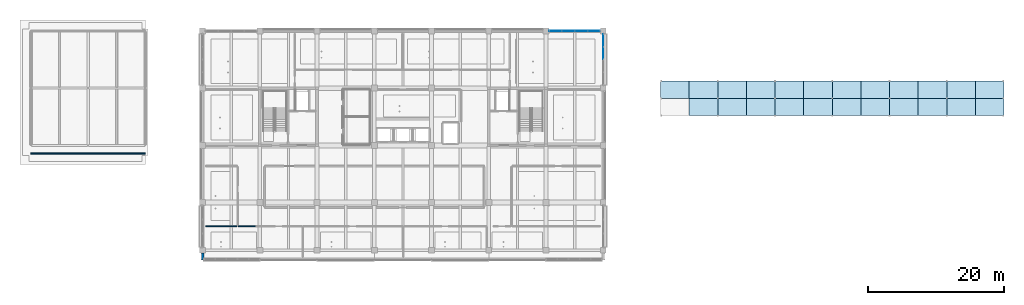
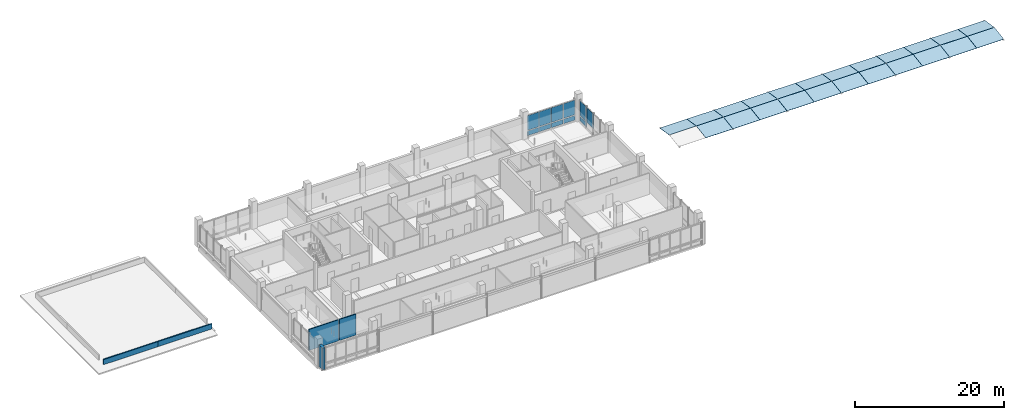
# One storey, part 11 of 39: 34 plates, 5 walls, 2 elements without a shape of their own.
"""IFC4 building model written with IfcOpenShell, lengths in metres."""

from ifc_helpers import new_model, si_unit, direction, frame, frame_2d, origin, origin_2d, place, context, subcontext, project, spatial, polyline, rectangle, outline, extrude, material, layer, layer_set, type_object, element, aggregate, save


model = new_model("IFC4")

# Units and contexts
model_context = context("Model", 3, precision=1e-05, world=origin(), true_north=direction((0.0, 1.0)))
body_context = subcontext(model_context, "Body", "Model", "MODEL_VIEW")
ifc_project = project(units=[si_unit("LENGTHUNIT", "METRE"), si_unit("AREAUNIT", "SQUARE_METRE"), si_unit("VOLUMEUNIT", "CUBIC_METRE"), si_unit("PLANEANGLEUNIT", "RADIAN"), si_unit("MASSUNIT", "GRAM", prefix="KILO")], contexts=[model_context])

# Site, building, storey
site_placement = place(None, origin())
site = spatial("IfcSite", under=ifc_project, at=site_placement, CompositionType="ELEMENT")
building_placement = place(site_placement, origin())
building = spatial("IfcBuilding", under=site, at=building_placement, Name="Telukmera Botanical Conservatory", CompositionType="ELEMENT")
storey_placement = place(building_placement, frame((0.0, 0.0, 19.5)))
storey = spatial("IfcBuildingStorey", under=building, at=storey_placement, Name="L04", CompositionType="ELEMENT", Elevation=19.5)

# Plates
ifc_material_1 = material(Name="Low-iron laminated conservatory glass", Category="glass")
ifc_layer_1 = layer(ifc_material_1, 0.031982421875)
ifc_layer_set_1 = layer_set([ifc_layer_1], Name="Low-iron laminated conservatory glass")
plate_type_1 = type_object("IfcPlateType", Name="Conservatory Gridshell Laminated Skylight Facet 32", PredefinedType="USERDEFINED", material=ifc_layer_set_1)
for number, where, z_axis, x_axis, name in (
    (1, (117.60205078125, 32.902099609375, 0.552001953125), (0.0, 0.154989524517, 0.987916113488), (1.0, 0.0, 0.0), "Conservatory Gridshell Glass Facet 01-07"),
    (2, (121.802001953125, 30.35205078125, 0.152587890625), (0.0, -0.154989524517, 0.987916113488), (1.0, 0.0, 0.0), "Conservatory Gridshell Glass Facet 02-06"),
    (3, (121.802001953125, 32.902099609375, 0.552001953125), (0.0, 0.154989524517, 0.987916113488), (1.0, 0.0, 0.0), "Conservatory Gridshell Glass Facet 02-07"),
    (4, (126.001953125, 30.35205078125, 0.152587890625), (0.0, -0.154989524517, 0.987916113488), (1.0, 0.0, 0.0), "Conservatory Gridshell Glass Facet 03-06"),
    (5, (126.001953125, 32.902099609375, 0.552001953125), (0.0, 0.154989524517, 0.987916113488), (1.0, 0.0, 0.0), "Conservatory Gridshell Glass Facet 03-07"),
    (6, (130.201904296875, 30.35205078125, 0.152587890625), (0.0, -0.154989524517, 0.987916113488), (1.0, 0.0, 0.0), "Conservatory Gridshell Glass Facet 04-06"),
    (7, (130.201904296875, 32.902099609375, 0.552001953125), (0.0, 0.154989524517, 0.987916113488), (1.0, 0.0, 0.0), "Conservatory Gridshell Glass Facet 04-07"),
):
    element("IfcPlate", number, at=place(storey_placement, frame(where, z_axis=z_axis, x_axis=x_axis)), inside=storey, type_object=plate_type_1, Name=name, ObjectType="SKYLIGHT_PANEL", PredefinedType="USERDEFINED", context=body_context, shape_type="SweptSolid", body=[
        extrude(outline(polyline([(0.0, 0.0), (4.196044921875, 0.0), (4.196044921875, 2.577039085343429), (0.0, 2.577039085343429), (0.0, 0.0)])), origin(), (0.0, 0.0, -1.0), 0.031982421875),
    ])
for number, where, z_axis, x_axis, name in (
    (8, (134.402099609375, 30.35205078125, 0.152587890625), (0.0, -0.154989524517, 0.987916113488), (1.0, 0.0, 0.0), "Conservatory Gridshell Glass Facet 05-06"),
    (9, (134.402099609375, 32.902099609375, 0.552001953125), (0.0, 0.154989524517, 0.987916113488), (1.0, 0.0, 0.0), "Conservatory Gridshell Glass Facet 05-07"),
):
    element("IfcPlate", number, at=place(storey_placement, frame(where, z_axis=z_axis, x_axis=x_axis)), inside=storey, type_object=plate_type_1, Name=name, ObjectType="SKYLIGHT_PANEL", PredefinedType="USERDEFINED", context=body_context, shape_type="SweptSolid", body=[
        extrude(outline(polyline([(0.0, 0.0), (4.19580078125, 0.0), (4.19580078125, 2.577039085343429), (0.0, 2.577039085343429), (0.0, 0.0)])), origin(), (0.0, 0.0, -1.0), 0.031982421875),
    ])
for number, where, z_axis, x_axis, name in (
    (10, (138.60205078125, 30.35205078125, 0.152587890625), (0.0, -0.154989524517, 0.987916113488), (1.0, 0.0, 0.0), "Conservatory Gridshell Glass Facet 06-06"),
    (11, (138.60205078125, 32.902099609375, 0.552001953125), (0.0, 0.154989524517, 0.987916113488), (1.0, 0.0, 0.0), "Conservatory Gridshell Glass Facet 06-07"),
    (12, (142.802001953125, 30.35205078125, 0.152587890625), (0.0, -0.154989524517, 0.987916113488), (1.0, 0.0, 0.0), "Conservatory Gridshell Glass Facet 07-06"),
    (13, (142.802001953125, 32.902099609375, 0.552001953125), (0.0, 0.154989524517, 0.987916113488), (1.0, 0.0, 0.0), "Conservatory Gridshell Glass Facet 07-07"),
    (14, (147.001953125, 30.35205078125, 0.152587890625), (0.0, -0.154989524517, 0.987916113488), (1.0, 0.0, 0.0), "Conservatory Gridshell Glass Facet 08-06"),
    (15, (147.001953125, 32.902099609375, 0.552001953125), (0.0, 0.154989524517, 0.987916113488), (1.0, 0.0, 0.0), "Conservatory Gridshell Glass Facet 08-07"),
    (16, (151.201904296875, 30.35205078125, 0.152587890625), (0.0, -0.154989524517, 0.987916113488), (1.0, 0.0, 0.0), "Conservatory Gridshell Glass Facet 09-06"),
    (17, (151.201904296875, 32.902099609375, 0.552001953125), (0.0, 0.154989524517, 0.987916113488), (1.0, 0.0, 0.0), "Conservatory Gridshell Glass Facet 09-07"),
):
    element("IfcPlate", number, at=place(storey_placement, frame(where, z_axis=z_axis, x_axis=x_axis)), inside=storey, type_object=plate_type_1, Name=name, ObjectType="SKYLIGHT_PANEL", PredefinedType="USERDEFINED", context=body_context, shape_type="SweptSolid", body=[
        extrude(outline(polyline([(0.0, 0.0), (4.196044921875, 0.0), (4.196044921875, 2.577039085343429), (0.0, 2.577039085343429), (0.0, 0.0)])), origin(), (0.0, 0.0, -1.0), 0.031982421875),
    ])
for number, where, z_axis, x_axis, name in (
    (18, (155.402099609375, 30.35205078125, 0.152587890625), (0.0, -0.154989524517, 0.987916113488), (1.0, 0.0, 0.0), "Conservatory Gridshell Glass Facet 10-06"),
    (19, (155.402099609375, 32.902099609375, 0.552001953125), (0.0, 0.154989524517, 0.987916113488), (1.0, 0.0, 0.0), "Conservatory Gridshell Glass Facet 10-07"),
):
    element("IfcPlate", number, at=place(storey_placement, frame(where, z_axis=z_axis, x_axis=x_axis)), inside=storey, type_object=plate_type_1, Name=name, ObjectType="SKYLIGHT_PANEL", PredefinedType="USERDEFINED", context=body_context, shape_type="SweptSolid", body=[
        extrude(outline(polyline([(0.0, 0.0), (4.19580078125, 0.0), (4.19580078125, 2.577039085343429), (0.0, 2.577039085343429), (0.0, 0.0)])), origin(), (0.0, 0.0, -1.0), 0.031982421875),
    ])
for number, where, z_axis, x_axis, name in (
    (20, (159.60205078125, 30.35205078125, 0.152587890625), (0.0, -0.154989524517, 0.987916113488), (1.0, 0.0, 0.0), "Conservatory Gridshell Glass Facet 11-06"),
    (21, (159.60205078125, 32.902099609375, 0.552001953125), (0.0, 0.154989524517, 0.987916113488), (1.0, 0.0, 0.0), "Conservatory Gridshell Glass Facet 11-07"),
    (22, (163.802001953125, 30.35205078125, 0.152587890625), (0.0, -0.154989524517, 0.987916113488), (1.0, 0.0, 0.0), "Conservatory Gridshell Glass Facet 12-06"),
    (23, (163.802001953125, 32.902099609375, 0.552001953125), (0.0, 0.154989524517, 0.987916113488), (1.0, 0.0, 0.0), "Conservatory Gridshell Glass Facet 12-07"),
):
    element("IfcPlate", number, at=place(storey_placement, frame(where, z_axis=z_axis, x_axis=x_axis)), inside=storey, type_object=plate_type_1, Name=name, ObjectType="SKYLIGHT_PANEL", PredefinedType="USERDEFINED", context=body_context, shape_type="SweptSolid", body=[
        extrude(outline(polyline([(0.0, 0.0), (4.196044921875, 0.0), (4.196044921875, 2.577039085343429), (0.0, 2.577039085343429), (0.0, 0.0)])), origin(), (0.0, 0.0, -1.0), 0.031982421875),
    ])

# Curtain wall, plates
ifc_material_2 = material(Name="Anodised aluminium 6063-T6", Category="aluminium")
ifc_layer_2 = layer(ifc_material_2, 0.179931640625)
ifc_layer_set_2 = layer_set([ifc_layer_2], Name="Anodised aluminium 6063-T6")
curtain_wall_type = type_object("IfcCurtainWallType", Name="Tower Herbarium Curation Corner Curtain Wall", PredefinedType="USERDEFINED", material=ifc_layer_set_2)
curtain_wall_1_placement = place(storey_placement, origin())
curtain_wall_1 = element("IfcCurtainWall", 24, at=curtain_wall_1_placement, inside=storey, type_object=curtain_wall_type, Name="Unitised Curtain Wall CW14 V4:L04:N7", ObjectType="UNITISED CURTAIN WALL", PredefinedType="USERDEFINED")
ifc_material_3 = material(Name="Spectrally selective low-E double glazing", Category="glass")
ifc_layer_3 = layer(ifc_material_3, 0.0380859375)
ifc_layer_set_3 = layer_set([ifc_layer_3], Name="Spectrally selective low-E double glazing")
plate_type_2 = type_object("IfcPlateType", Name="Solar Control Fritted Spandrel Glazing Panel 38", PredefinedType="CURTAIN_PANEL", material=ifc_layer_set_3)
plate_1_placement = place(storey_placement, frame((102.1865234375, 42.800048828125, 0.130126953125), z_axis=(0.0, 0.0, 1.0), x_axis=(1.0, 0.0, 0.0)))
plate_1 = element("IfcPlate", 25, at=plate_1_placement, type_object=plate_type_2, Name="CW14 panel 1.1", PredefinedType="CURTAIN_PANEL", context=body_context, shape_type="SweptSolid", body=[
    extrude(rectangle(XDim=1.7890625, YDim=0.0380859375, at=origin_2d()), origin(), (0.0, 0.0, 1.0), 0.7548828125),
])
plate_2_placement = place(storey_placement, frame((102.1865234375, 42.800048828125, 1.01513671875), z_axis=(0.0, 0.0, 1.0), x_axis=(1.0, 0.0, 0.0)))
plate_2 = element("IfcPlate", 26, at=plate_2_placement, type_object=plate_type_2, Name="CW14 panel 1.2", PredefinedType="CURTAIN_PANEL", context=body_context, shape_type="SweptSolid", body=[
    extrude(rectangle(XDim=1.7890625, YDim=0.0380859375, at=origin_2d()), origin(), (0.0, 0.0, 1.0), 2.405029296875),
])
plate_3_placement = place(storey_placement, frame((104.056640625, 42.800048828125, 0.130126953125), z_axis=(0.0, 0.0, 1.0), x_axis=(1.0, 0.0, 0.0)))
plate_3 = element("IfcPlate", 27, at=plate_3_placement, type_object=plate_type_2, Name="CW14 panel 2.1", PredefinedType="CURTAIN_PANEL", context=body_context, shape_type="SweptSolid", body=[
    extrude(rectangle(XDim=1.821533203125, YDim=0.0380859375, at=origin_2d()), origin(), (0.0, 0.0, 1.0), 0.7548828125),
])
plate_4_placement = place(storey_placement, frame((104.056640625, 42.800048828125, 1.01513671875), z_axis=(0.0, 0.0, 1.0), x_axis=(1.0, 0.0, 0.0)))
plate_4 = element("IfcPlate", 28, at=plate_4_placement, type_object=plate_type_2, Name="CW14 panel 2.2", PredefinedType="CURTAIN_PANEL", context=body_context, shape_type="SweptSolid", body=[
    extrude(rectangle(XDim=1.821533203125, YDim=0.0380859375, at=origin_2d()), origin(), (0.0, 0.0, 1.0), 2.405029296875),
])
plate_5_placement = place(storey_placement, frame((105.943359375, 42.800048828125, 0.130126953125), z_axis=(0.0, 0.0, 1.0), x_axis=(1.0, 0.0, 0.0)))
plate_5 = element("IfcPlate", 29, at=plate_5_placement, type_object=plate_type_2, Name="CW14 panel 3.1", PredefinedType="CURTAIN_PANEL", context=body_context, shape_type="SweptSolid", body=[
    extrude(rectangle(XDim=1.821533203125, YDim=0.0380859375, at=origin_2d()), origin(), (0.0, 0.0, 1.0), 0.7548828125),
])
plate_6_placement = place(storey_placement, frame((105.943359375, 42.800048828125, 1.01513671875), z_axis=(0.0, 0.0, 1.0), x_axis=(1.0, 0.0, 0.0)))
plate_6 = element("IfcPlate", 30, at=plate_6_placement, type_object=plate_type_2, Name="CW14 panel 3.2", PredefinedType="CURTAIN_PANEL", context=body_context, shape_type="SweptSolid", body=[
    extrude(rectangle(XDim=1.821533203125, YDim=0.0380859375, at=origin_2d()), origin(), (0.0, 0.0, 1.0), 2.405029296875),
])
plate_7_placement = place(storey_placement, frame((107.8134765625, 42.800048828125, 0.130126953125), z_axis=(0.0, 0.0, 1.0), x_axis=(1.0, 0.0, 0.0)))
plate_7 = element("IfcPlate", 31, at=plate_7_placement, type_object=plate_type_2, Name="CW14 panel 4.1", PredefinedType="CURTAIN_PANEL", context=body_context, shape_type="SweptSolid", body=[
    extrude(rectangle(XDim=1.7890625, YDim=0.0380859375, at=origin_2d()), origin(), (0.0, 0.0, 1.0), 0.7548828125),
])
plate_8_placement = place(storey_placement, frame((107.8134765625, 42.800048828125, 1.01513671875), z_axis=(0.0, 0.0, 1.0), x_axis=(1.0, 0.0, 0.0)))
plate_8 = element("IfcPlate", 32, at=plate_8_placement, type_object=plate_type_2, Name="CW14 panel 4.2", PredefinedType="CURTAIN_PANEL", context=body_context, shape_type="SweptSolid", body=[
    extrude(rectangle(XDim=1.7890625, YDim=0.0380859375, at=origin_2d()), origin(), (0.0, 0.0, 1.0), 2.405029296875),
])
aggregate(curtain_wall_1, [plate_1, plate_2, plate_3, plate_4, plate_5, plate_6, plate_7, plate_8])

curtain_wall_2_placement = place(storey_placement, origin())
curtain_wall_2 = element("IfcCurtainWall", 33, at=curtain_wall_2_placement, inside=storey, type_object=curtain_wall_type, Name="Unitised Curtain Wall CW14 V4:L04:E4", ObjectType="UNITISED CURTAIN WALL", PredefinedType="USERDEFINED")
plate_9_placement = place(storey_placement, frame((109.199951171875, 39.543212890625, 1.01513671875), z_axis=(0.0, 0.0, 1.0), x_axis=(0.0, 1.0, 0.0)))
plate_9 = element("IfcPlate", 34, at=plate_9_placement, type_object=plate_type_2, Name="CW14 panel 3.2", PredefinedType="CURTAIN_PANEL", context=body_context, shape_type="SweptSolid", body=[
    extrude(rectangle(XDim=1.821533203125, YDim=0.0380859375, at=origin_2d()), origin(), (0.0, 0.0, 1.0), 2.405029296875),
])
plate_10_placement = place(storey_placement, frame((109.199951171875, 41.41357421875, 0.130126953125), z_axis=(0.0, 0.0, 1.0), x_axis=(0.0, 1.0, 0.0)))
plate_10 = element("IfcPlate", 35, at=plate_10_placement, type_object=plate_type_2, Name="CW14 panel 4.1", PredefinedType="CURTAIN_PANEL", context=body_context, shape_type="SweptSolid", body=[
    extrude(rectangle(XDim=1.7890625, YDim=0.0380859375, at=origin_2d()), origin(), (0.0, 0.0, 1.0), 0.7548828125),
])
plate_11_placement = place(storey_placement, frame((109.199951171875, 41.41357421875, 1.01513671875), z_axis=(0.0, 0.0, 1.0), x_axis=(0.0, 1.0, 0.0)))
plate_11 = element("IfcPlate", 36, at=plate_11_placement, type_object=plate_type_2, Name="CW14 panel 4.2", PredefinedType="CURTAIN_PANEL", context=body_context, shape_type="SweptSolid", body=[
    extrude(rectangle(XDim=1.7890625, YDim=0.0380859375, at=origin_2d()), origin(), (0.0, 0.0, 1.0), 2.405029296875),
])
aggregate(curtain_wall_2, [plate_9, plate_10, plate_11])

# Walls
ifc_material_4 = material(Name="Terracotta-faced precast concrete C40/50", Category="masonry")
ifc_layer_4 = layer(ifc_material_4, 0.3798828125)
ifc_layer_set_4 = layer_set([ifc_layer_4], Name="Terracotta-faced precast concrete C40/50")
wall_type_1 = type_object("IfcWallType", Name="Exterior Herbarium Vault Insulated Precast Wall 380", PredefinedType="SOLIDWALL", material=ifc_layer_set_4)
wall_1_placement = place(storey_placement, frame((50.39990234375, 9.199951171875, 0.0), z_axis=(0.0, 0.0, 1.0), x_axis=(0.0, 1.0, 0.0)))
element("IfcWall", 37, at=wall_1_placement, inside=storey, type_object=wall_type_1, Name="Exterior Precast Wall EW04 V4:L04:SWC", PredefinedType="SOLIDWALL", context=body_context, shape_type="SweptSolid", body=[
    extrude(rectangle(XDim=0.97314453125, YDim=0.3798828125, at=frame_2d((0.486572265625, 0.0))), origin(), (0.0, 0.0, 1.0), 3.550048828125),
])
ifc_layer_5 = layer(ifc_material_4, 0.179931640625)
ifc_layer_set_5 = layer_set([ifc_layer_5], Name="Terracotta-faced precast concrete C40/50")
wall_type_2 = type_object("IfcWallType", Name="Postmodern Polychrome Podium Parapet Wall 180", PredefinedType="PARAPET", material=ifc_layer_set_5)
for number, where, z_axis, x_axis, name in (
    (38, (25.201904296875, 24.800048828125, 0.2099609375), (0.0, 0.0, 1.0), (1.0, 0.0, 0.0), "Stepped Roof Parapet PW02 V3:L04:S 1"),
    (39, (33.60205078125, 24.800048828125, 0.2099609375), (0.0, 0.0, 1.0), (1.0, 0.0, 0.0), "Stepped Roof Parapet PW02 V3:L04:S 2"),
):
    element("IfcWall", number, at=place(storey_placement, frame(where, z_axis=z_axis, x_axis=x_axis)), inside=storey, type_object=wall_type_2, Name=name, PredefinedType="PARAPET", context=body_context, shape_type="SweptSolid", body=[
        extrude(rectangle(XDim=8.39599609375, YDim=0.179931640625, at=frame_2d((4.197998046875, 0.0))), origin(), (0.0, 0.0, 1.0), 0.840087890625),
    ])
ifc_material_5 = material(Name="Gypsum acoustic stud partition")
ifc_layer_6 = layer(ifc_material_5, 0.14990234375)
ifc_layer_set_6 = layer_set([ifc_layer_6], Name="Gypsum acoustic stud partition")
wall_type_3 = type_object("IfcWallType", Name="WT-STD-150", PredefinedType="PARTITIONING", material=ifc_layer_set_6)
wall_2_placement = place(storey_placement, frame((55.610107421875, 14.125, 0.0), z_axis=(0.0, 0.0, 1.0), x_axis=(1.0, 0.0, 0.0)))
element("IfcWall", 40, at=wall_2_placement, inside=storey, type_object=wall_type_3, Name="L04 Interior Partition 16", PredefinedType="PARTITIONING", context=body_context, shape_type="SweptSolid", body=[
    extrude(rectangle(XDim=2.539794921875, YDim=0.14990234375, at=frame_2d((1.27001953125, 0.0))), origin(), (0.0, 0.0, 1.0), 3.449951171875),
])
wall_3_placement = place(storey_placement, frame((50.85009765625, 14.125, 0.0), z_axis=(0.0, 0.0, 1.0), x_axis=(1.0, 0.0, 0.0)))
element("IfcWall", 41, at=wall_3_placement, inside=storey, type_object=wall_type_3, Name="L04 Interior Partition 22", PredefinedType="PARTITIONING", context=body_context, shape_type="SweptSolid", body=[
    extrude(rectangle(XDim=4.58984375, YDim=0.14990234375, at=frame_2d((2.294921875, 0.0))), origin(), (0.0, 0.0, 1.0), 3.449951171875),
])

save(model, "model.ifc")
